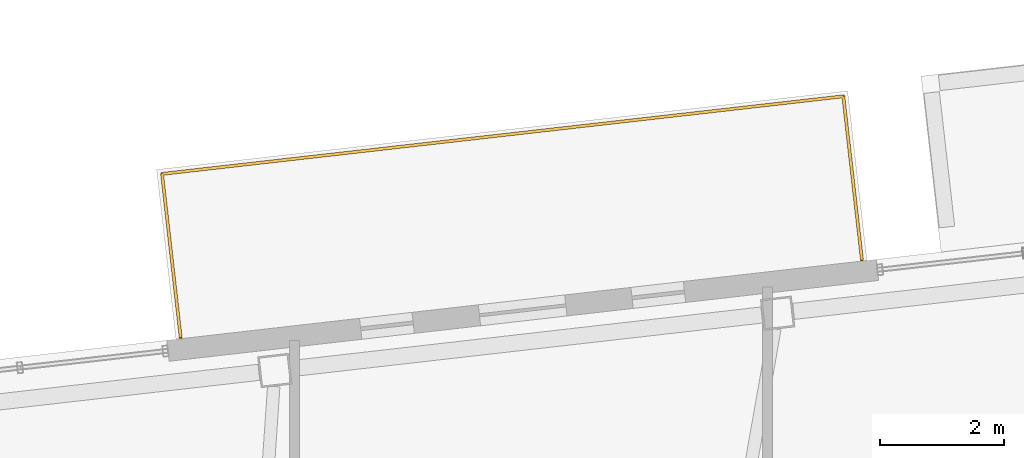
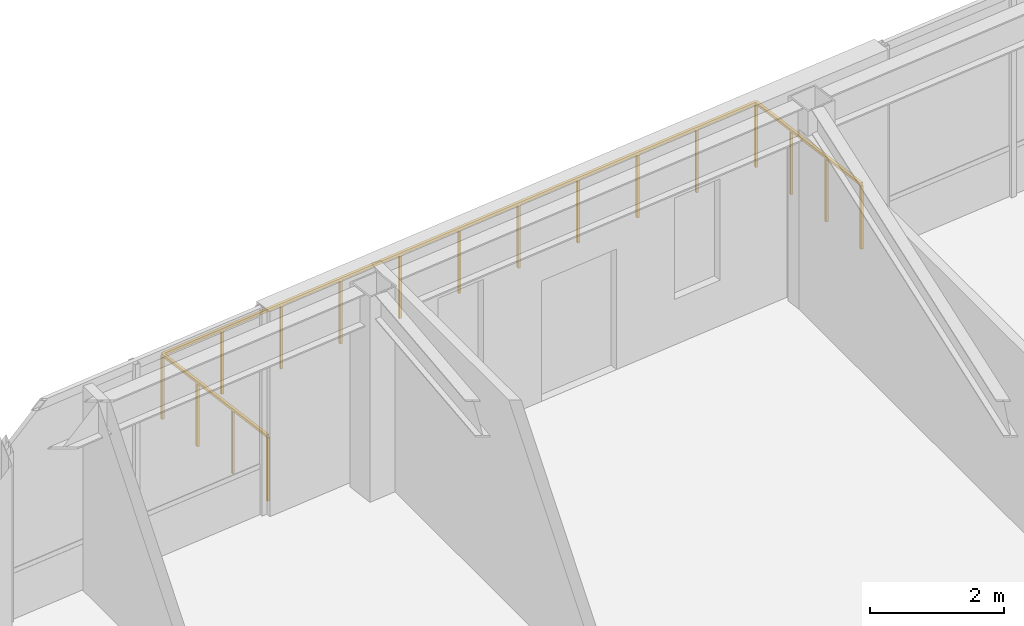
# One storey, part 20 of 20: 1 railing.
"""IFC4 building model written with IfcOpenShell, lengths in metres."""

from ifc_helpers import new_model, si_unit, direction, frame, origin, origin_2d, place, context, subcontext, project, spatial, rectangle, extrude, material, layer, layer_set, type_object, element, save


model = new_model("IFC4")

# Units and contexts
model_context = context("Model", 3, precision=1e-05, world=origin(), true_north=direction((0.0, 1.0)))
body_context = subcontext(model_context, "Body", "Model", "MODEL_VIEW")
ifc_project = project(units=[si_unit("LENGTHUNIT", "METRE"), si_unit("AREAUNIT", "SQUARE_METRE"), si_unit("VOLUMEUNIT", "CUBIC_METRE"), si_unit("PLANEANGLEUNIT", "RADIAN"), si_unit("MASSUNIT", "GRAM", prefix="KILO")], contexts=[model_context])

# Site, building, storey
site_placement = place(None, origin())
site = spatial("IfcSite", under=ifc_project, at=site_placement, CompositionType="ELEMENT")
building_placement = place(site_placement, origin())
building = spatial("IfcBuilding", under=site, at=building_placement, Name="Tavrogorsk Clinical Tower", CompositionType="ELEMENT")
storey_placement = place(building_placement, frame((0.0, 0.0, 251.0)))
storey = spatial("IfcBuildingStorey", under=building, at=storey_placement, Name="L58", CompositionType="ELEMENT", Elevation=251.0)

# Railing
ifc_material = material(Name="Stainless steel AISI 316 and laminated glass balustrade", Category="steel")
ifc_layer = layer(ifc_material, 0.090087890625)
ifc_layer_set = layer_set([ifc_layer], Name="Stainless steel AISI 316 and laminated glass balustrade")
railing_type = type_object("IfcRailingType", Name="TerraceGuardRailing_1200", PredefinedType="BALUSTRADE", material=ifc_layer_set)
railing_placement = place(storey_placement, frame((-10.53564453125, 25.64453125, 0.0)))
element("IfcRailing", 1, at=railing_placement, inside=storey, type_object=railing_type, Name="L58 Spiralling Terrace Balustrade GD-01", PredefinedType="BALUSTRADE", context=body_context, shape_type="SweptSolid", body=[
    extrude(rectangle(XDim=0.048095703125, YDim=0.048095703125, at=origin_2d()), frame((0.0, 0.0, 1.17578125), z_axis=(-0.113221808681, 0.993569736878, 0.0), x_axis=(-0.993569736878, -0.113221808681, 0.0)), (0.0, 0.0, 1.0), 2.650146484375),
    extrude(rectangle(XDim=0.048095703125, YDim=0.048095703125, at=origin_2d()), frame((-0.300048828125, 2.633056640625, 1.17578125), z_axis=(0.993571887876, 0.113202931159, 0.0), x_axis=(-0.113202931159, 0.993571887876, 0.0)), (0.0, 0.0, 1.0), 11.0400390625),
    extrude(rectangle(XDim=0.048095703125, YDim=0.048095703125, at=origin_2d()), frame((10.6689453125, 3.8828125, 1.17578125), z_axis=(0.113221808681, -0.993569736878, 0.0), x_axis=(0.993569736878, 0.113221808681, 0.0)), (0.0, 0.0, 1.0), 2.650146484375),
    extrude(rectangle(XDim=0.0419921875, YDim=0.0419921875, at=origin_2d()), origin(), (0.0, 0.0, 1.0), 1.15185546875),
    extrude(rectangle(XDim=0.0419921875, YDim=0.0419921875, at=origin_2d()), frame((-0.10009765625, 0.877685546875, 0.0)), (0.0, 0.0, 1.0), 1.15185546875),
    extrude(rectangle(XDim=0.0419921875, YDim=0.0419921875, at=origin_2d()), frame((-0.199951171875, 1.75537109375, 0.0)), (0.0, 0.0, 1.0), 1.15185546875),
    extrude(rectangle(XDim=0.0419921875, YDim=0.0419921875, at=origin_2d()), frame((-0.300048828125, 2.633056640625, 0.0)), (0.0, 0.0, 1.0), 1.15185546875),
    extrude(rectangle(XDim=0.0419921875, YDim=0.0419921875, at=origin_2d()), frame((0.796875, 2.758056640625, 0.0)), (0.0, 0.0, 1.0), 1.15185546875),
    extrude(rectangle(XDim=0.0419921875, YDim=0.0419921875, at=origin_2d()), frame((1.893798828125, 2.883056640625, 0.0)), (0.0, 0.0, 1.0), 1.15185546875),
    extrude(rectangle(XDim=0.0419921875, YDim=0.0419921875, at=origin_2d()), frame((2.99072265625, 3.008056640625, 0.0)), (0.0, 0.0, 1.0), 1.15185546875),
    extrude(rectangle(XDim=0.0419921875, YDim=0.0419921875, at=origin_2d()), frame((4.087646484375, 3.133056640625, 0.0)), (0.0, 0.0, 1.0), 1.15185546875),
    extrude(rectangle(XDim=0.0419921875, YDim=0.0419921875, at=origin_2d()), frame((5.1845703125, 3.2578125, 0.0)), (0.0, 0.0, 1.0), 1.15185546875),
    extrude(rectangle(XDim=0.0419921875, YDim=0.0419921875, at=origin_2d()), frame((6.28125, 3.3828125, 0.0)), (0.0, 0.0, 1.0), 1.15185546875),
    extrude(rectangle(XDim=0.0419921875, YDim=0.0419921875, at=origin_2d()), frame((7.378173828125, 3.5078125, 0.0)), (0.0, 0.0, 1.0), 1.15185546875),
    extrude(rectangle(XDim=0.0419921875, YDim=0.0419921875, at=origin_2d()), frame((8.47509765625, 3.6328125, 0.0)), (0.0, 0.0, 1.0), 1.15185546875),
    extrude(rectangle(XDim=0.0419921875, YDim=0.0419921875, at=origin_2d()), frame((9.572021484375, 3.7578125, 0.0)), (0.0, 0.0, 1.0), 1.15185546875),
    extrude(rectangle(XDim=0.0419921875, YDim=0.0419921875, at=origin_2d()), frame((10.6689453125, 3.8828125, 0.0)), (0.0, 0.0, 1.0), 1.15185546875),
    extrude(rectangle(XDim=0.0419921875, YDim=0.0419921875, at=origin_2d()), frame((10.76904296875, 3.005126953125, 0.0)), (0.0, 0.0, 1.0), 1.15185546875),
    extrude(rectangle(XDim=0.0419921875, YDim=0.0419921875, at=origin_2d()), frame((10.868896484375, 2.12744140625, 0.0)), (0.0, 0.0, 1.0), 1.15185546875),
    extrude(rectangle(XDim=0.0419921875, YDim=0.0419921875, at=origin_2d()), frame((10.968994140625, 1.249755859375, 0.0)), (0.0, 0.0, 1.0), 1.15185546875),
])

save(model, "model.ifc")
